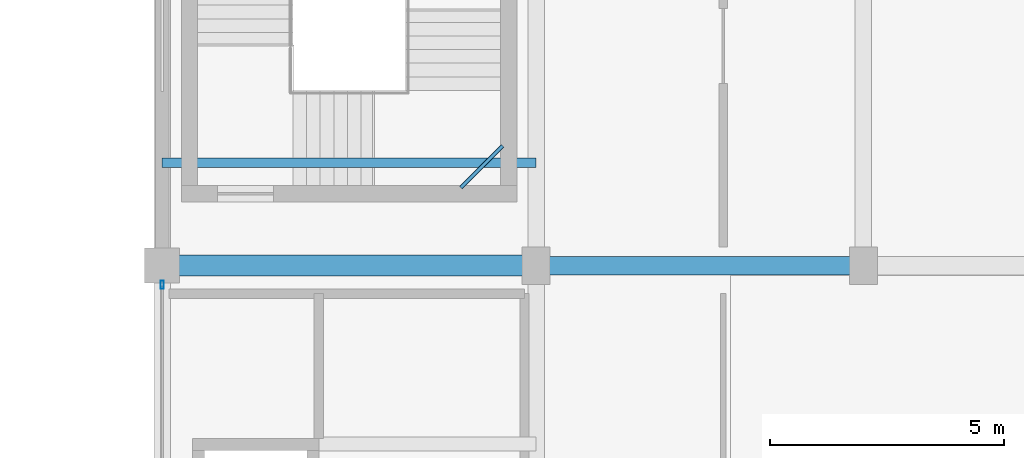
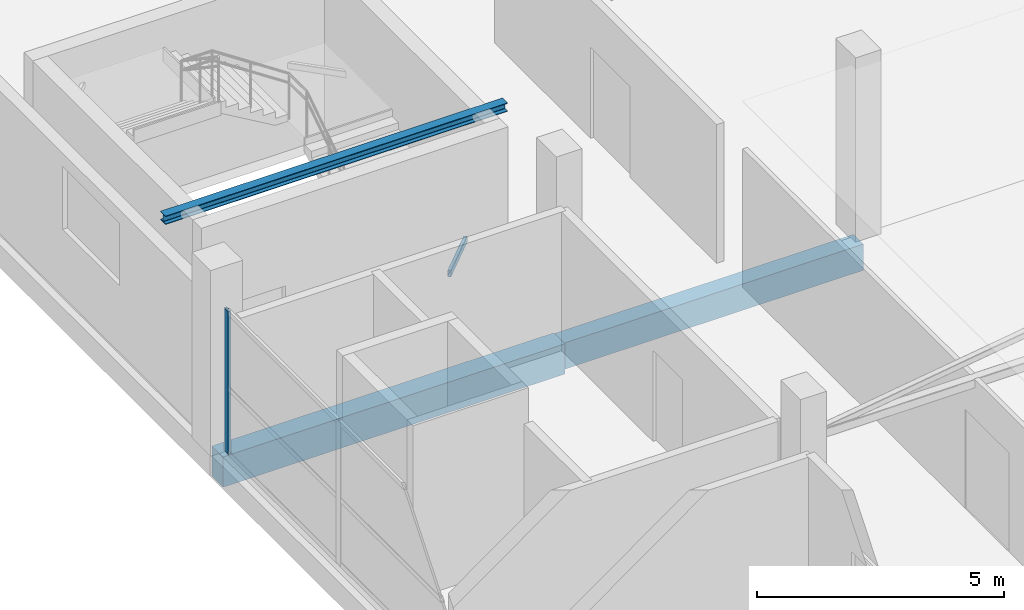
# One storey, part 24 of 55: 3 beams, 2 members, 1 element without a shape of its own.
"""IFC4 building model written with IfcOpenShell, lengths in metres."""

from ifc_helpers import new_model, si_unit, direction, frame, origin, origin_2d, place, context, subcontext, project, spatial, rectangle, hollow_rectangle, i_section, extrude, material, layer, layer_set, material_profile, profile_set, type_object, element, aggregate, save


model = new_model("IFC4")

# Units and contexts
model_context = context("Model", 3, precision=1e-05, world=origin(), true_north=direction((0.0, 1.0)))
body_context = subcontext(model_context, "Body", "Model", "MODEL_VIEW")
ifc_project = project(units=[si_unit("LENGTHUNIT", "METRE"), si_unit("AREAUNIT", "SQUARE_METRE"), si_unit("VOLUMEUNIT", "CUBIC_METRE"), si_unit("PLANEANGLEUNIT", "RADIAN"), si_unit("MASSUNIT", "GRAM", prefix="KILO")], contexts=[model_context])

# Site, building, storey
site_placement = place(None, origin())
site = spatial("IfcSite", under=ifc_project, at=site_placement, CompositionType="ELEMENT")
building_placement = place(site_placement, origin())
building = spatial("IfcBuilding", under=site, at=building_placement, Name="Sillaruma Civic Art Gallery", CompositionType="ELEMENT")
storey_placement = place(building_placement, frame((0.0, 0.0, 37.739990234375)))
storey = spatial("IfcBuildingStorey", under=building, at=storey_placement, Name="L07", CompositionType="ELEMENT", Elevation=37.739990234375)

# Beams
ifc_material_1 = material(Name="Concrete H35 (35 MPa)", Category="concrete")
ifc_material_profile_1 = material_profile(ifc_material_1, rectangle(XDim=0.39990234375, YDim=0.64990234375, at=origin_2d()), Name="RCB400x650")
ifc_profile_set_1 = profile_set([ifc_material_profile_1], Name="Concrete H35 (35 MPa)")
beam_type_1 = type_object("IfcBeamType", Name="BM-BEAM-RCB400x650", PredefinedType="BEAM", material=ifc_profile_set_1)
beam_1_placement = place(storey_placement, frame((70.0, 79.199951171875, -0.56494140625), z_axis=(1.0, 0.0, 0.0), x_axis=(0.0, 1.0, 0.0)))
element("IfcBeam", 1, at=beam_1_placement, inside=storey, type_object=beam_type_1, Name="Beam BM-05 (L06:9:G-H)", PredefinedType="BEAM", context=body_context, shape_type="SweptSolid", body=[
    extrude(rectangle(XDim=0.39990234375, YDim=0.64990234375, at=origin_2d()), origin(), (0.0, 0.0, 1.0), 7.0),
])
ifc_material_2 = material(Name="Concrete H40 (40 MPa)", Category="concrete")
ifc_material_profile_2 = material_profile(ifc_material_2, rectangle(XDim=0.449951171875, YDim=0.75, at=origin_2d()), Name="RCB450x750")
ifc_profile_set_2 = profile_set([ifc_material_profile_2], Name="Concrete H40 (40 MPa)")
beam_type_2 = type_object("IfcBeamType", Name="BM-BEAM-RCB450x750", PredefinedType="BEAM", material=ifc_profile_set_2)
beam_2_placement = place(storey_placement, frame((62.0, 79.199951171875, -0.614990234375), z_axis=(1.0, 0.0, 0.0), x_axis=(0.0, 1.0, 0.0)))
element("IfcBeam", 2, at=beam_2_placement, inside=storey, type_object=beam_type_2, Name="Beam BM-03 (L06:9:F-G)", PredefinedType="BEAM", context=body_context, shape_type="SweptSolid", body=[
    extrude(rectangle(XDim=0.449951171875, YDim=0.75, at=origin_2d()), origin(), (0.0, 0.0, 1.0), 8.0),
])
ifc_material_3 = material(Name="Structural Steel ASTM A500 Gr.C", Category="steel")
ifc_material_profile_3 = material_profile(ifc_material_3, hollow_rectangle(XDim=0.080078125, YDim=0.159912109375, WallThickness=0.008056640625, InnerFilletRadius=0.008056640625, OuterFilletRadius=0.01611328125, at=origin_2d()), Name="HSS160x80x8")
ifc_profile_set_3 = profile_set([ifc_material_profile_3], Name="Structural Steel ASTM A500 Gr.C")
beam_type_3 = type_object("IfcBeamType", Name="BM-LND-HSS160", PredefinedType="BEAM", material=ifc_profile_set_3)
beam_3_placement = place(storey_placement, frame((68.389892578125, 80.8701171875, 0.909912109375), z_axis=(0.707203758046, 0.707009791025, 0.0), x_axis=(-0.707009791025, 0.707203758046, 0.0)))
element("IfcBeam", 3, at=beam_3_placement, inside=storey, type_object=beam_type_3, Name="Stair Corner Landing Trimmer Beam (ST-02-L07-1)", PredefinedType="BEAM", context=body_context, shape_type="SweptSolid", body=[
    extrude(hollow_rectangle(XDim=0.080078125, YDim=0.159912109375, WallThickness=0.008056640625, InnerFilletRadius=0.008056640625, OuterFilletRadius=0.01611328125, at=origin_2d()), origin(), (0.0, 0.0, 1.0), 1.2587890625),
])

# Curtain wall, member
ifc_material_4 = material(Name="Thermally Broken Extruded Aluminium 6063-T6", Category="aluminium")
ifc_layer = layer(ifc_material_4, 0.179931640625, Name="Thermally Broken Extruded Aluminium 6063-T6")
ifc_layer_set = layer_set([ifc_layer], Name="Thermally Broken Extruded Aluminium 6063-T6")
curtain_wall_type = type_object("IfcCurtainWallType", Name="CW-UNI-45", PredefinedType="NOTDEFINED", material=ifc_layer_set)
curtain_wall_placement = place(storey_placement, origin())
curtain_wall = element("IfcCurtainWall", 4, at=curtain_wall_placement, inside=storey, type_object=curtain_wall_type, Name="Unitised Curtain Wall CW-45 (CW-L07-W-6)", PredefinedType="NOTDEFINED")
ifc_material_profile_4 = material_profile(ifc_material_4, hollow_rectangle(XDim=0.070068359375, YDim=0.179931640625, WallThickness=0.00390625, at=origin_2d()), Name="CWM70x180")
ifc_profile_set_4 = profile_set([ifc_material_profile_4], Name="Thermally Broken Extruded Aluminium 6063-T6")
member_type_1 = type_object("IfcMemberType", Name="MEM-MUL-CWM70x180", PredefinedType="MULLION", material=ifc_profile_set_4)
member_1_placement = place(storey_placement, frame((62.0, 78.7900390625, 0.0), z_axis=(0.0, 0.0, 1.0), x_axis=(-1.0, 0.0, 0.0)))
member_1 = element("IfcMember", 5, at=member_1_placement, type_object=member_type_1, Name="CW-45 mullion 3", PredefinedType="MULLION", context=body_context, shape_type="SweptSolid", body=[
    extrude(hollow_rectangle(XDim=0.070068359375, YDim=0.179931640625, WallThickness=0.00390625, at=origin_2d()), origin(), (0.0, 0.0, 1.0), 3.530029296875),
])
aggregate(curtain_wall, [member_1])

# Member
ifc_material_5 = material(Name="Structural Steel ASTM A992 Gr.50", Category="steel")
ifc_material_profile_5 = material_profile(ifc_material_5, i_section(OverallWidth=0.205078125, OverallDepth=0.2099609375, WebThickness=0.009033203125, FlangeThickness=0.01416015625, FilletRadius=0.010009765625, at=origin_2d()), Name="W200x59")
ifc_profile_set_5 = profile_set([ifc_material_profile_5], Name="Structural Steel ASTM A992 Gr.50")
member_type_2 = type_object("IfcMemberType", Name="MEM-STRINGER-W200", PredefinedType="STRINGER", material=ifc_profile_set_5)
member_2_placement = place(storey_placement, frame((62.0, 81.39990234375, 4.205078125), z_axis=(1.0, 0.0, 0.0), x_axis=(0.0, 1.0, 0.0)))
element("IfcMember", 6, at=member_2_placement, inside=storey, type_object=member_type_2, Name="Feature Stair Floor Stringer (ST-G05)", PredefinedType="STRINGER", context=body_context, shape_type="SweptSolid", body=[
    extrude(i_section(OverallWidth=0.205078125, OverallDepth=0.2099609375, WebThickness=0.009033203125, FlangeThickness=0.01416015625, FilletRadius=0.010009765625, at=origin_2d()), origin(), (0.0, 0.0, 1.0), 8.0),
])

save(model, "model.ifc")
